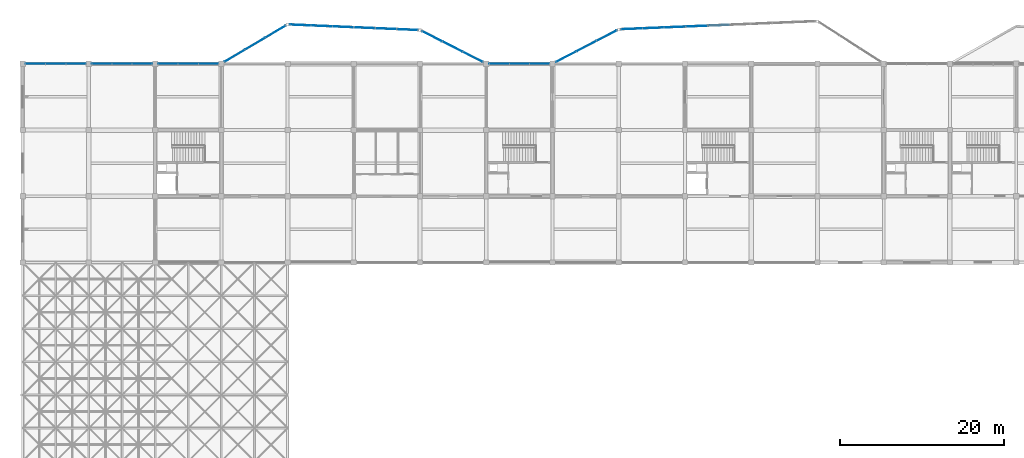
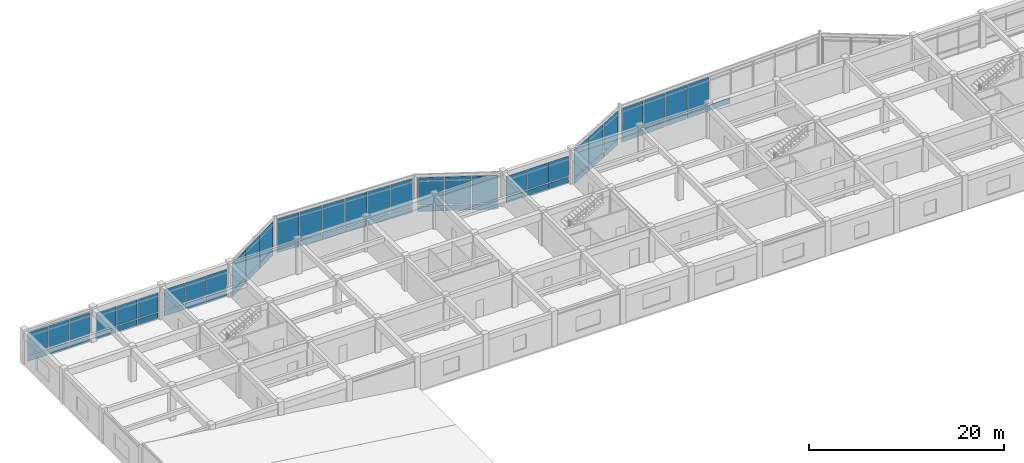
# One storey, part 43 of 70: 63 plates, 11 elements without a shape of their own.
"""IFC4 building model written with IfcOpenShell, lengths in metres."""

import ifcopenshell
import ifcopenshell.guid

model = None  # the IFC model being written
_history = None  # IfcOwnerHistory: only IFC2X3 demands one
_inside = {}  # id of a spatial element -> (the spatial element, [elements in it])
_under = {}  # id of a project, library or spatial element -> (it, [spatial elements below it])
_declared = {}  # id of a project -> (the project, [libraries it declares])
_typed = {}  # id of a type object -> (the type object, [elements of that type])
_made_of = {}  # id of a material, layer set ... -> (it, [elements and type objects made of it])


def new_model(schema):
    """Start an empty IFC model of exactly this schema.

    Asked for "IFC4X3", IfcOpenShell would pick the latest addendum, in which some entities
    have other attributes; the version numbers below select the first issue.
    IFC2X3 requires an IfcOwnerHistory on every rooted entity: one is made here for all.
    """
    global model, _history
    if schema == "IFC4X3":
        model = ifcopenshell.file(schema_version=(4, 3, 0, 0))
    else:
        model = ifcopenshell.file(schema=schema)
    _inside.clear()
    _under.clear()
    _declared.clear()
    _typed.clear()
    _made_of.clear()
    _history = None
    if model.schema == "IFC2X3":
        org = make("IfcOrganization", Name="unknown")
        user = make(
            "IfcPersonAndOrganization",
            ThePerson=make("IfcPerson", FamilyName="unknown"),
            TheOrganization=org,
        )
        app = make(
            "IfcApplication",
            ApplicationDeveloper=org,
            Version="unknown",
            ApplicationFullName="unknown",
            ApplicationIdentifier="unknown",
        )
        _history = make(
            "IfcOwnerHistory",
            OwningUser=user,
            OwningApplication=app,
            ChangeAction="ADDED",
            CreationDate=0,
        )
    return model


def make(cls, **values):
    """One entity of the class cls with the attributes given. An attribute that is None is left unset."""
    return model.create_entity(
        cls, **{name: value for name, value in values.items() if value is not None}
    )


def rooted(cls, **values):
    """An entity with a GlobalId (a new one), such as an element, a storey or a relation."""
    return make(cls, GlobalId=ifcopenshell.guid.new(), OwnerHistory=_history, **values)


def si_unit(unit_type, name, prefix=None):
    """IfcSIUnit, for example si_unit("LENGTHUNIT", "METRE", prefix="MILLI")."""
    return make("IfcSIUnit", UnitType=unit_type, Prefix=prefix, Name=name)


def assignment(units):
    """IfcUnitAssignment: the units of a project."""
    return None if units is None else make("IfcUnitAssignment", Units=units)


def point(xyz):
    """IfcCartesianPoint."""
    return None if xyz is None else make("IfcCartesianPoint", Coordinates=xyz)


def direction(xyz):
    """IfcDirection."""
    return None if xyz is None else make("IfcDirection", DirectionRatios=xyz)


def frame(location, z_axis=None, x_axis=None):
    """IfcAxis2Placement3D, a coordinate frame: its origin and axes. An axis left out is left unset."""
    return make(
        "IfcAxis2Placement3D",
        Location=point(location),
        Axis=direction(z_axis),
        RefDirection=direction(x_axis),
    )


def frame_2d(location, x_axis=None):
    """IfcAxis2Placement2D, a coordinate frame in the plane: its origin and x axis."""
    return make(
        "IfcAxis2Placement2D", Location=point(location), RefDirection=direction(x_axis)
    )


def origin():
    """The frame at (0, 0, 0) with its axes left unset."""
    return frame((0.0, 0.0, 0.0))


def origin_2d():
    """The frame at (0, 0) in the plane with its x axis left unset."""
    return frame_2d((0.0, 0.0))


def place(relative_to, where):
    """IfcLocalPlacement: puts the frame where relative to a parent placement (None: the world)."""
    return make(
        "IfcLocalPlacement", PlacementRelTo=relative_to, RelativePlacement=where
    )


def context(
    kind, dimensions, precision=None, world=None, true_north=None, identifier=None
):
    """IfcGeometricRepresentationContext, for example the 3D "Model" context."""
    return make(
        "IfcGeometricRepresentationContext",
        ContextIdentifier=identifier,
        ContextType=kind,
        CoordinateSpaceDimension=dimensions,
        Precision=precision,
        WorldCoordinateSystem=world,
        TrueNorth=true_north,
    )


def subcontext(parent, identifier, kind, view, scale=None):
    """IfcGeometricRepresentationSubContext, for example "Body" below "Model"."""
    return make(
        "IfcGeometricRepresentationSubContext",
        ContextIdentifier=identifier,
        ContextType=kind,
        ParentContext=parent,
        TargetScale=scale,
        TargetView=view,
    )


def project(units=None, contexts=None):
    """IfcProject with its units and contexts."""
    return rooted(
        "IfcProject",
        Name="project",
        RepresentationContexts=contexts,
        UnitsInContext=assignment(units),
    )


def spatial(cls, under=None, at=None, **own):
    """A site, building, storey or space (cls), placed at a placement, below another one or the project."""
    s = rooted(cls, ObjectPlacement=at, **own)
    if under is not None:
        _under.setdefault(under.id(), (under, []))[1].append(s)
    return s


def profile(cls, at=None, kind="AREA", **sizes):
    """A parametric profile (cls). Its sizes go by their IFC names, for example OverallWidth=200.0."""
    return make(cls, ProfileType=kind, Position=at, **sizes)


def rectangle(**sizes):
    """IfcRectangleProfileDef."""
    return profile("IfcRectangleProfileDef", **sizes)


def extrude(swept, where, along, depth):
    """IfcExtrudedAreaSolid: the profile swept, set in the frame where, extruded along a direction by depth."""
    return make(
        "IfcExtrudedAreaSolid",
        SweptArea=swept,
        Position=where,
        ExtrudedDirection=direction(along),
        Depth=depth,
    )


def shape(context_of_items, identifier, shape_type, items):
    """IfcShapeRepresentation: the items that make up one representation, for example the "Body"."""
    return make(
        "IfcShapeRepresentation",
        ContextOfItems=context_of_items,
        RepresentationIdentifier=identifier,
        RepresentationType=shape_type,
        Items=items,
    )


def material(Name=None, Category=None):
    """IfcMaterial."""
    return make("IfcMaterial", Name=Name, Category=Category)


def layer(
    of_material, thickness, ventilated=None, Name=None, Category=None, Priority=None
):
    """IfcMaterialLayer: one layer of a wall or slab, of a material (None: an air gap)."""
    return make(
        "IfcMaterialLayer",
        Material=of_material,
        LayerThickness=thickness,
        IsVentilated=ventilated,
        Name=Name,
        Category=Category,
        Priority=Priority,
    )


def layer_set(layers, Name=None):
    """IfcMaterialLayerSet."""
    return make("IfcMaterialLayerSet", MaterialLayers=layers, LayerSetName=Name)


def made_of(thing, what):
    """Note that an element or type object is made of a material, layer set ...; save() writes the relation."""
    if what is not None:
        _made_of.setdefault(what.id(), (what, []))[1].append(thing)
    return thing


def type_object(cls, material=None, **own):
    """A type object (cls), such as IfcWallType, which elements share."""
    return made_of(rooted(cls, **own), material)


def element(
    cls,
    number,
    at=None,
    inside=None,
    cuts=None,
    type_object=None,
    material=None,
    context=None,
    identifier="Body",
    shape_type=None,
    held_by="IfcProductDefinitionShape",
    body=None,
    shapes=None,
    **own,
):
    """One element of the class cls, such as IfcWall. Its Tag is "e" and its number.

    at: its placement. inside: the storey or other place that contains it. cuts: it is an
    opening in that element (IfcRelVoidsElement). A single representation is given by context,
    identifier, shape_type and body (its items); several are given by shapes. held_by: the class
    of the entity that holds the representations. save() writes the other relations.
    """
    e = rooted(cls, Tag="e%d" % number, ObjectPlacement=at, **own)
    if body is not None:
        shapes = [shape(context, identifier, shape_type, body)]
    if shapes is not None:
        e.Representation = make(held_by, Representations=shapes)
    if inside is not None:
        _inside.setdefault(inside.id(), (inside, []))[1].append(e)
    if cuts is not None:
        rooted(
            "IfcRelVoidsElement", RelatingBuildingElement=cuts, RelatedOpeningElement=e
        )
    if type_object is not None:
        _typed.setdefault(type_object.id(), (type_object, []))[1].append(e)
    return made_of(e, material)


def aggregate(whole, parts):
    """IfcRelAggregates: a whole, such as a stair, and the parts it consists of."""
    return rooted("IfcRelAggregates", RelatingObject=whole, RelatedObjects=parts)


def save(model, path):
    """Write the relations noted so far, then the file.

    IfcRelAggregates (storeys below a building ...), IfcRelContainedInSpatialStructure (elements
    in a storey), IfcRelDefinesByType, IfcRelAssociatesMaterial and IfcRelDeclares: one each for
    every whole, place, type object, material and project.
    """
    for whole, parts in _under.values():
        aggregate(whole, parts)
    for where, things in _inside.values():
        rooted(
            "IfcRelContainedInSpatialStructure",
            RelatedElements=things,
            RelatingStructure=where,
        )
    for kind, things in _typed.values():
        rooted("IfcRelDefinesByType", RelatedObjects=things, RelatingType=kind)
    for what, things in _made_of.values():
        rooted("IfcRelAssociatesMaterial", RelatedObjects=things, RelatingMaterial=what)
    for by, libraries in _declared.values():
        rooted("IfcRelDeclares", RelatingContext=by, RelatedDefinitions=libraries)
    model.write(path)


model = new_model("IFC4")

# Units and contexts
model_context = context("Model", 3, precision=1e-05, world=origin(), true_north=direction((0.0, 1.0)))
body_context = subcontext(model_context, "Body", "Model", "MODEL_VIEW")
ifc_project = project(units=[si_unit("LENGTHUNIT", "METRE"), si_unit("AREAUNIT", "SQUARE_METRE"), si_unit("VOLUMEUNIT", "CUBIC_METRE"), si_unit("PLANEANGLEUNIT", "RADIAN"), si_unit("MASSUNIT", "GRAM", prefix="KILO")], contexts=[model_context])

# Site, building, storey
site_placement = place(None, origin())
site = spatial("IfcSite", under=ifc_project, at=site_placement, CompositionType="ELEMENT")
building_placement = place(site_placement, origin())
building = spatial("IfcBuilding", under=site, at=building_placement, Name="Vaudrelin Polytechnic", CompositionType="ELEMENT")
storey_placement = place(building_placement, frame((0.0, 0.0, 14.110107421875)))
storey = spatial("IfcBuildingStorey", under=building, at=storey_placement, Name="L03", CompositionType="ELEMENT", Elevation=14.110107421875)

# Curtain wall, plates
ifc_material_1 = material(Name="Thermally broken anodised aluminium AA 6063-T6 and low-e triple glazing", Category="aluminium")
ifc_layer_1 = layer(ifc_material_1, 0.199951171875)
ifc_layer_set_1 = layer_set([ifc_layer_1], Name="Thermally broken anodised aluminium AA 6063-T6 and low-e triple glazing")
curtain_wall_type = type_object("IfcCurtainWallType", Name="CW-CW-STU", PredefinedType="USERDEFINED", material=ifc_layer_set_1)
curtain_wall_1_placement = place(storey_placement, origin())
curtain_wall_1 = element("IfcCurtainWall", 1, at=curtain_wall_1_placement, inside=storey, type_object=curtain_wall_type, Name="Curtain wall L03 N_V5_00", ObjectType="CURTAIN WALL", PredefinedType="USERDEFINED")
ifc_material_2 = material(Name="Diffusing north-light studio glazing panel", Category="glass")
ifc_layer_2 = layer(ifc_material_2, 0.048095703125)
ifc_layer_set_2 = layer_set([ifc_layer_2], Name="Diffusing north-light studio glazing panel")
plate_type_1 = type_object("IfcPlateType", Name="PLT-GLZ-SAW", PredefinedType="CURTAIN_PANEL", material=ifc_layer_set_2)
plate_1_placement = place(storey_placement, frame((1.565185546875, 121.5, 0.89990234375), z_axis=(0.0, 0.0, 1.0), x_axis=(1.0, 0.0, 0.0)))
plate_1 = element("IfcPlate", 2, at=plate_1_placement, type_object=plate_type_1, Name="N_V5_00 vision panel 1", PredefinedType="CURTAIN_PANEL", context=body_context, shape_type="SweptSolid", body=[
    extrude(rectangle(XDim=2.384765625, YDim=0.0439453125, at=origin_2d()), origin(), (0.0, 0.0, 1.0), 2.7470703125),
])
plate_2_placement = place(storey_placement, frame((4.050048828125, 121.5, 0.89990234375), z_axis=(0.0, 0.0, 1.0), x_axis=(1.0, 0.0, 0.0)))
plate_2 = element("IfcPlate", 3, at=plate_2_placement, type_object=plate_type_1, Name="N_V5_00 vision panel 2", PredefinedType="CURTAIN_PANEL", context=body_context, shape_type="SweptSolid", body=[
    extrude(rectangle(XDim=2.384765625, YDim=0.0439453125, at=origin_2d()), origin(), (0.0, 0.0, 1.0), 2.7470703125),
])
plate_3_placement = place(storey_placement, frame((6.53466796875, 121.5, 0.89990234375), z_axis=(0.0, 0.0, 1.0), x_axis=(1.0, 0.0, 0.0)))
plate_3 = element("IfcPlate", 4, at=plate_3_placement, type_object=plate_type_1, Name="N_V5_00 vision panel 3", PredefinedType="CURTAIN_PANEL", context=body_context, shape_type="SweptSolid", body=[
    extrude(rectangle(XDim=2.384765625, YDim=0.0439453125, at=origin_2d()), origin(), (0.0, 0.0, 1.0), 2.7470703125),
])

curtain_wall_2_placement = place(storey_placement, origin())
curtain_wall_2 = element("IfcCurtainWall", 5, at=curtain_wall_2_placement, inside=storey, type_object=curtain_wall_type, Name="Curtain wall L03 N_V5_01", ObjectType="CURTAIN WALL", PredefinedType="USERDEFINED")
plate_4_placement = place(storey_placement, frame((9.665283203125, 121.5, 0.89990234375), z_axis=(0.0, 0.0, 1.0), x_axis=(1.0, 0.0, 0.0)))
plate_4 = element("IfcPlate", 6, at=plate_4_placement, type_object=plate_type_1, Name="N_V5_01 vision panel 1", PredefinedType="CURTAIN_PANEL", context=body_context, shape_type="SweptSolid", body=[
    extrude(rectangle(XDim=2.384765625, YDim=0.0439453125, at=origin_2d()), origin(), (0.0, 0.0, 1.0), 2.412109375),
])
plate_5_placement = place(storey_placement, frame((12.14990234375, 121.5, 0.89990234375), z_axis=(0.0, 0.0, 1.0), x_axis=(1.0, 0.0, 0.0)))
plate_5 = element("IfcPlate", 7, at=plate_5_placement, type_object=plate_type_1, Name="N_V5_01 vision panel 2", PredefinedType="CURTAIN_PANEL", context=body_context, shape_type="SweptSolid", body=[
    extrude(rectangle(XDim=2.384765625, YDim=0.0439453125, at=origin_2d()), origin(), (0.0, 0.0, 1.0), 2.412109375),
])
plate_6_placement = place(storey_placement, frame((14.634765625, 121.5, 0.89990234375), z_axis=(0.0, 0.0, 1.0), x_axis=(1.0, 0.0, 0.0)))
plate_6 = element("IfcPlate", 8, at=plate_6_placement, type_object=plate_type_1, Name="N_V5_01 vision panel 3", PredefinedType="CURTAIN_PANEL", context=body_context, shape_type="SweptSolid", body=[
    extrude(rectangle(XDim=2.384765625, YDim=0.0439453125, at=origin_2d()), origin(), (0.0, 0.0, 1.0), 2.412109375),
])

curtain_wall_3_placement = place(storey_placement, origin())
curtain_wall_3 = element("IfcCurtainWall", 9, at=curtain_wall_3_placement, inside=storey, type_object=curtain_wall_type, Name="Curtain wall L03 N_V5_02", ObjectType="CURTAIN WALL", PredefinedType="USERDEFINED")
plate_7_placement = place(storey_placement, frame((17.765380859375, 121.5, 0.89990234375), z_axis=(0.0, 0.0, 1.0), x_axis=(1.0, 0.0, 0.0)))
plate_7 = element("IfcPlate", 10, at=plate_7_placement, type_object=plate_type_1, Name="N_V5_02 vision panel 1", PredefinedType="CURTAIN_PANEL", context=body_context, shape_type="SweptSolid", body=[
    extrude(rectangle(XDim=2.384765625, YDim=0.0439453125, at=origin_2d()), origin(), (0.0, 0.0, 1.0), 2.511962890625),
])
plate_8_placement = place(storey_placement, frame((20.25, 121.5, 0.89990234375), z_axis=(0.0, 0.0, 1.0), x_axis=(1.0, 0.0, 0.0)))
plate_8 = element("IfcPlate", 11, at=plate_8_placement, type_object=plate_type_1, Name="N_V5_02 vision panel 2", PredefinedType="CURTAIN_PANEL", context=body_context, shape_type="SweptSolid", body=[
    extrude(rectangle(XDim=2.384765625, YDim=0.0439453125, at=origin_2d()), origin(), (0.0, 0.0, 1.0), 2.511962890625),
])
plate_9_placement = place(storey_placement, frame((22.734619140625, 121.5, 0.89990234375), z_axis=(0.0, 0.0, 1.0), x_axis=(1.0, 0.0, 0.0)))
plate_9 = element("IfcPlate", 12, at=plate_9_placement, type_object=plate_type_1, Name="N_V5_02 vision panel 3", PredefinedType="CURTAIN_PANEL", context=body_context, shape_type="SweptSolid", body=[
    extrude(rectangle(XDim=2.384765625, YDim=0.0439453125, at=origin_2d()), origin(), (0.0, 0.0, 1.0), 2.511962890625),
])

curtain_wall_4_placement = place(storey_placement, origin())
curtain_wall_4 = element("IfcCurtainWall", 13, at=curtain_wall_4_placement, inside=storey, type_object=curtain_wall_type, Name="Curtain wall L03 N_V5_07", ObjectType="CURTAIN WALL", PredefinedType="USERDEFINED")
plate_10_placement = place(storey_placement, frame((58.265380859375, 121.5, 0.89990234375), z_axis=(0.0, 0.0, 1.0), x_axis=(1.0, 0.0, 0.0)))
plate_10 = element("IfcPlate", 14, at=plate_10_placement, type_object=plate_type_1, Name="N_V5_07 vision panel 1", PredefinedType="CURTAIN_PANEL", context=body_context, shape_type="SweptSolid", body=[
    extrude(rectangle(XDim=2.384765625, YDim=0.0439453125, at=origin_2d()), origin(), (0.0, 0.0, 1.0), 2.511962890625),
])
plate_11_placement = place(storey_placement, frame((60.75, 121.5, 0.89990234375), z_axis=(0.0, 0.0, 1.0), x_axis=(1.0, 0.0, 0.0)))
plate_11 = element("IfcPlate", 15, at=plate_11_placement, type_object=plate_type_1, Name="N_V5_07 vision panel 2", PredefinedType="CURTAIN_PANEL", context=body_context, shape_type="SweptSolid", body=[
    extrude(rectangle(XDim=2.384765625, YDim=0.0439453125, at=origin_2d()), origin(), (0.0, 0.0, 1.0), 2.511962890625),
])
plate_12_placement = place(storey_placement, frame((63.234619140625, 121.5, 0.89990234375), z_axis=(0.0, 0.0, 1.0), x_axis=(1.0, 0.0, 0.0)))
plate_12 = element("IfcPlate", 16, at=plate_12_placement, type_object=plate_type_1, Name="N_V5_07 vision panel 3", PredefinedType="CURTAIN_PANEL", context=body_context, shape_type="SweptSolid", body=[
    extrude(rectangle(XDim=2.384765625, YDim=0.0439453125, at=origin_2d()), origin(), (0.0, 0.0, 1.0), 2.511962890625),
])

# Plate
ifc_material_3 = material(Name="Insulated ceramic-frit spandrel glass panel", Category="glass")
ifc_layer_3 = layer(ifc_material_3, 0.052001953125)
ifc_layer_set_3 = layer_set([ifc_layer_3], Name="Insulated ceramic-frit spandrel glass panel")
plate_type_2 = type_object("IfcPlateType", Name="PLT-GLZ-SPAND", PredefinedType="CURTAIN_PANEL", material=ifc_layer_set_3)
plate_13_placement = place(storey_placement, frame((1.565185546875, 121.5, 0.08984375), z_axis=(0.0, 0.0, 1.0), x_axis=(1.0, 0.0, 0.0)))
plate_13 = element("IfcPlate", 17, at=plate_13_placement, type_object=plate_type_2, Name="N_V5_00 spandrel panel 1", PredefinedType="CURTAIN_PANEL", context=body_context, shape_type="SweptSolid", body=[
    extrude(rectangle(XDim=2.384765625, YDim=0.052001953125, at=origin_2d()), origin(), (0.0, 0.0, 1.0), 0.699951171875),
])

plate_14_placement = place(storey_placement, frame((4.050048828125, 121.5, 0.08984375), z_axis=(0.0, 0.0, 1.0), x_axis=(1.0, 0.0, 0.0)))
plate_14 = element("IfcPlate", 18, at=plate_14_placement, type_object=plate_type_2, Name="N_V5_00 spandrel panel 2", PredefinedType="CURTAIN_PANEL", context=body_context, shape_type="SweptSolid", body=[
    extrude(rectangle(XDim=2.384765625, YDim=0.052001953125, at=origin_2d()), origin(), (0.0, 0.0, 1.0), 0.699951171875),
])

plate_15_placement = place(storey_placement, frame((6.53466796875, 121.5, 0.08984375), z_axis=(0.0, 0.0, 1.0), x_axis=(1.0, 0.0, 0.0)))
plate_15 = element("IfcPlate", 19, at=plate_15_placement, type_object=plate_type_2, Name="N_V5_00 spandrel panel 3", PredefinedType="CURTAIN_PANEL", context=body_context, shape_type="SweptSolid", body=[
    extrude(rectangle(XDim=2.384765625, YDim=0.052001953125, at=origin_2d()), origin(), (0.0, 0.0, 1.0), 0.699951171875),
])

aggregate(curtain_wall_1, [plate_13, plate_1, plate_14, plate_2, plate_15, plate_3])

plate_16_placement = place(storey_placement, frame((9.665283203125, 121.5, 0.08984375), z_axis=(0.0, 0.0, 1.0), x_axis=(1.0, 0.0, 0.0)))
plate_16 = element("IfcPlate", 20, at=plate_16_placement, type_object=plate_type_2, Name="N_V5_01 spandrel panel 1", PredefinedType="CURTAIN_PANEL", context=body_context, shape_type="SweptSolid", body=[
    extrude(rectangle(XDim=2.384765625, YDim=0.052001953125, at=origin_2d()), origin(), (0.0, 0.0, 1.0), 0.699951171875),
])

plate_17_placement = place(storey_placement, frame((12.14990234375, 121.5, 0.08984375), z_axis=(0.0, 0.0, 1.0), x_axis=(1.0, 0.0, 0.0)))
plate_17 = element("IfcPlate", 21, at=plate_17_placement, type_object=plate_type_2, Name="N_V5_01 spandrel panel 2", PredefinedType="CURTAIN_PANEL", context=body_context, shape_type="SweptSolid", body=[
    extrude(rectangle(XDim=2.384765625, YDim=0.052001953125, at=origin_2d()), origin(), (0.0, 0.0, 1.0), 0.699951171875),
])

plate_18_placement = place(storey_placement, frame((14.634765625, 121.5, 0.08984375), z_axis=(0.0, 0.0, 1.0), x_axis=(1.0, 0.0, 0.0)))
plate_18 = element("IfcPlate", 22, at=plate_18_placement, type_object=plate_type_2, Name="N_V5_01 spandrel panel 3", PredefinedType="CURTAIN_PANEL", context=body_context, shape_type="SweptSolid", body=[
    extrude(rectangle(XDim=2.384765625, YDim=0.052001953125, at=origin_2d()), origin(), (0.0, 0.0, 1.0), 0.699951171875),
])

aggregate(curtain_wall_2, [plate_16, plate_4, plate_17, plate_5, plate_18, plate_6])

plate_19_placement = place(storey_placement, frame((17.765380859375, 121.5, 0.08984375), z_axis=(0.0, 0.0, 1.0), x_axis=(1.0, 0.0, 0.0)))
plate_19 = element("IfcPlate", 23, at=plate_19_placement, type_object=plate_type_2, Name="N_V5_02 spandrel panel 1", PredefinedType="CURTAIN_PANEL", context=body_context, shape_type="SweptSolid", body=[
    extrude(rectangle(XDim=2.384765625, YDim=0.052001953125, at=origin_2d()), origin(), (0.0, 0.0, 1.0), 0.699951171875),
])

plate_20_placement = place(storey_placement, frame((20.25, 121.5, 0.08984375), z_axis=(0.0, 0.0, 1.0), x_axis=(1.0, 0.0, 0.0)))
plate_20 = element("IfcPlate", 24, at=plate_20_placement, type_object=plate_type_2, Name="N_V5_02 spandrel panel 2", PredefinedType="CURTAIN_PANEL", context=body_context, shape_type="SweptSolid", body=[
    extrude(rectangle(XDim=2.384765625, YDim=0.052001953125, at=origin_2d()), origin(), (0.0, 0.0, 1.0), 0.699951171875),
])

plate_21_placement = place(storey_placement, frame((22.734619140625, 121.5, 0.08984375), z_axis=(0.0, 0.0, 1.0), x_axis=(1.0, 0.0, 0.0)))
plate_21 = element("IfcPlate", 25, at=plate_21_placement, type_object=plate_type_2, Name="N_V5_02 spandrel panel 3", PredefinedType="CURTAIN_PANEL", context=body_context, shape_type="SweptSolid", body=[
    extrude(rectangle(XDim=2.384765625, YDim=0.052001953125, at=origin_2d()), origin(), (0.0, 0.0, 1.0), 0.699951171875),
])

aggregate(curtain_wall_3, [plate_19, plate_7, plate_20, plate_8, plate_21, plate_9])

plate_22_placement = place(storey_placement, frame((58.265380859375, 121.5, 0.08984375), z_axis=(0.0, 0.0, 1.0), x_axis=(1.0, 0.0, 0.0)))
plate_22 = element("IfcPlate", 26, at=plate_22_placement, type_object=plate_type_2, Name="N_V5_07 spandrel panel 1", PredefinedType="CURTAIN_PANEL", context=body_context, shape_type="SweptSolid", body=[
    extrude(rectangle(XDim=2.384765625, YDim=0.052001953125, at=origin_2d()), origin(), (0.0, 0.0, 1.0), 0.699951171875),
])

plate_23_placement = place(storey_placement, frame((60.75, 121.5, 0.08984375), z_axis=(0.0, 0.0, 1.0), x_axis=(1.0, 0.0, 0.0)))
plate_23 = element("IfcPlate", 27, at=plate_23_placement, type_object=plate_type_2, Name="N_V5_07 spandrel panel 2", PredefinedType="CURTAIN_PANEL", context=body_context, shape_type="SweptSolid", body=[
    extrude(rectangle(XDim=2.384765625, YDim=0.052001953125, at=origin_2d()), origin(), (0.0, 0.0, 1.0), 0.699951171875),
])

plate_24_placement = place(storey_placement, frame((63.234619140625, 121.5, 0.08984375), z_axis=(0.0, 0.0, 1.0), x_axis=(1.0, 0.0, 0.0)))
plate_24 = element("IfcPlate", 28, at=plate_24_placement, type_object=plate_type_2, Name="N_V5_07 spandrel panel 3", PredefinedType="CURTAIN_PANEL", context=body_context, shape_type="SweptSolid", body=[
    extrude(rectangle(XDim=2.384765625, YDim=0.052001953125, at=origin_2d()), origin(), (0.0, 0.0, 1.0), 0.699951171875),
])

aggregate(curtain_wall_4, [plate_22, plate_10, plate_23, plate_11, plate_24, plate_12])

# Curtain wall, plates
curtain_wall_5_placement = place(storey_placement, origin())
curtain_wall_5 = element("IfcCurtainWall", 29, at=curtain_wall_5_placement, inside=storey, type_object=curtain_wall_type, Name="Curtain wall L03 N_OR1_1_0", ObjectType="CURTAIN WALL", PredefinedType="USERDEFINED")
plate_25_placement = place(storey_placement, frame((25.944091796875, 122.474365234375, -0.5400390625), z_axis=(0.0, 0.0, 1.0), x_axis=(0.860291533635, 0.509802390301, 0.0)))
plate_25 = element("IfcPlate", 30, at=plate_25_placement, type_object=plate_type_2, Name="N_OR1_1_0 spandrel panel 1", PredefinedType="CURTAIN_PANEL", context=body_context, shape_type="SweptSolid", body=[
    extrude(rectangle(XDim=2.796875, YDim=0.052001953125, at=origin_2d()), origin(), (0.0, 0.0, 1.0), 0.699951171875),
])
plate_26_placement = place(storey_placement, frame((28.436279296875, 123.951171875, -0.5400390625), z_axis=(0.0, 0.0, 1.0), x_axis=(0.860291533635, 0.509802390301, 0.0)))
plate_26 = element("IfcPlate", 31, at=plate_26_placement, type_object=plate_type_2, Name="N_OR1_1_0 spandrel panel 2", PredefinedType="CURTAIN_PANEL", context=body_context, shape_type="SweptSolid", body=[
    extrude(rectangle(XDim=2.796875, YDim=0.052001953125, at=origin_2d()), origin(), (0.0, 0.0, 1.0), 0.699951171875),
])
plate_27_placement = place(storey_placement, frame((30.92822265625, 125.427978515625, -0.5400390625), z_axis=(0.0, 0.0, 1.0), x_axis=(0.860291533635, 0.509802390301, 0.0)))
plate_27 = element("IfcPlate", 32, at=plate_27_placement, type_object=plate_type_2, Name="N_OR1_1_0 spandrel panel 3", PredefinedType="CURTAIN_PANEL", context=body_context, shape_type="SweptSolid", body=[
    extrude(rectangle(XDim=2.796875, YDim=0.052001953125, at=origin_2d()), origin(), (0.0, 0.0, 1.0), 0.699951171875),
])

curtain_wall_6_placement = place(storey_placement, origin())
curtain_wall_6 = element("IfcCurtainWall", 33, at=curtain_wall_6_placement, inside=storey, type_object=curtain_wall_type, Name="Curtain wall L03 N_OR1_2_0", ObjectType="CURTAIN WALL", PredefinedType="USERDEFINED")
plate_28_placement = place(storey_placement, frame((33.94775390625, 126.233154296875, -0.5400390625), z_axis=(0.0, 0.0, 1.0), x_axis=(0.99906798854, -0.043164270821, 0.0)))
plate_28 = element("IfcPlate", 34, at=plate_28_placement, type_object=plate_type_2, Name="N_OR1_2_0 spandrel panel 1", PredefinedType="CURTAIN_PANEL", context=body_context, shape_type="SweptSolid", body=[
    extrude(rectangle(XDim=2.523193359375, YDim=0.052001953125, at=origin_2d()), origin(), (0.0, 0.0, 1.0), 0.699951171875),
])
plate_29_placement = place(storey_placement, frame((36.568603515625, 126.119873046875, -0.5400390625), z_axis=(0.0, 0.0, 1.0), x_axis=(0.99906798854, -0.043164270821, 0.0)))
plate_29 = element("IfcPlate", 35, at=plate_29_placement, type_object=plate_type_2, Name="N_OR1_2_0 spandrel panel 2", PredefinedType="CURTAIN_PANEL", context=body_context, shape_type="SweptSolid", body=[
    extrude(rectangle(XDim=2.523193359375, YDim=0.052001953125, at=origin_2d()), origin(), (0.0, 0.0, 1.0), 0.699951171875),
])
plate_30_placement = place(storey_placement, frame((39.189697265625, 126.006591796875, -0.5400390625), z_axis=(0.0, 0.0, 1.0), x_axis=(0.99906798854, -0.043164270821, 0.0)))
plate_30 = element("IfcPlate", 36, at=plate_30_placement, type_object=plate_type_2, Name="N_OR1_2_0 spandrel panel 3", PredefinedType="CURTAIN_PANEL", context=body_context, shape_type="SweptSolid", body=[
    extrude(rectangle(XDim=2.523193359375, YDim=0.052001953125, at=origin_2d()), origin(), (0.0, 0.0, 1.0), 0.699951171875),
])

curtain_wall_7_placement = place(storey_placement, origin())
curtain_wall_7 = element("IfcCurtainWall", 37, at=curtain_wall_7_placement, inside=storey, type_object=curtain_wall_type, Name="Curtain wall L03 N_OR1_2_1", ObjectType="CURTAIN WALL", PredefinedType="USERDEFINED")
plate_31_placement = place(storey_placement, frame((41.810302734375, 125.893310546875, -0.5400390625), z_axis=(0.0, 0.0, 1.0), x_axis=(0.99906798854, -0.043164270821, 0.0)))
plate_31 = element("IfcPlate", 38, at=plate_31_placement, type_object=plate_type_2, Name="N_OR1_2_1 spandrel panel 1", PredefinedType="CURTAIN_PANEL", context=body_context, shape_type="SweptSolid", body=[
    extrude(rectangle(XDim=2.523193359375, YDim=0.052001953125, at=origin_2d()), origin(), (0.0, 0.0, 1.0), 0.699951171875),
])
plate_32_placement = place(storey_placement, frame((44.431396484375, 125.780029296875, -0.5400390625), z_axis=(0.0, 0.0, 1.0), x_axis=(0.99906798854, -0.043164270821, 0.0)))
plate_32 = element("IfcPlate", 39, at=plate_32_placement, type_object=plate_type_2, Name="N_OR1_2_1 spandrel panel 2", PredefinedType="CURTAIN_PANEL", context=body_context, shape_type="SweptSolid", body=[
    extrude(rectangle(XDim=2.523193359375, YDim=0.052001953125, at=origin_2d()), origin(), (0.0, 0.0, 1.0), 0.699951171875),
])
plate_33_placement = place(storey_placement, frame((47.05224609375, 125.6669921875, -0.5400390625), z_axis=(0.0, 0.0, 1.0), x_axis=(0.99906798854, -0.043164270821, 0.0)))
plate_33 = element("IfcPlate", 40, at=plate_33_placement, type_object=plate_type_2, Name="N_OR1_2_1 spandrel panel 3", PredefinedType="CURTAIN_PANEL", context=body_context, shape_type="SweptSolid", body=[
    extrude(rectangle(XDim=2.523193359375, YDim=0.052001953125, at=origin_2d()), origin(), (0.0, 0.0, 1.0), 0.699951171875),
])

curtain_wall_8_placement = place(storey_placement, origin())
curtain_wall_8 = element("IfcCurtainWall", 41, at=curtain_wall_8_placement, inside=storey, type_object=curtain_wall_type, Name="Curtain wall L03 N_OR1_3_0", ObjectType="CURTAIN WALL", PredefinedType="USERDEFINED")
plate_34_placement = place(storey_placement, frame((50.073486328125, 124.85400390625, -0.5400390625), z_axis=(0.0, 0.0, 1.0), x_axis=(0.892216550993, -0.451607823375, 0.0)))
plate_34 = element("IfcPlate", 42, at=plate_34_placement, type_object=plate_type_2, Name="N_OR1_3_0 spandrel panel 1", PredefinedType="CURTAIN_PANEL", context=body_context, shape_type="SweptSolid", body=[
    extrude(rectangle(XDim=2.691162109375, YDim=0.052001953125, at=origin_2d()), origin(), (0.0, 0.0, 1.0), 0.699951171875),
])
plate_35_placement = place(storey_placement, frame((52.563720703125, 123.593505859375, -0.5400390625), z_axis=(0.0, 0.0, 1.0), x_axis=(0.892216550993, -0.451607823375, 0.0)))
plate_35 = element("IfcPlate", 43, at=plate_35_placement, type_object=plate_type_2, Name="N_OR1_3_0 spandrel panel 2", PredefinedType="CURTAIN_PANEL", context=body_context, shape_type="SweptSolid", body=[
    extrude(rectangle(XDim=2.691162109375, YDim=0.052001953125, at=origin_2d()), origin(), (0.0, 0.0, 1.0), 0.699951171875),
])
plate_36_placement = place(storey_placement, frame((55.053955078125, 122.333251953125, -0.5400390625), z_axis=(0.0, 0.0, 1.0), x_axis=(0.892216550993, -0.451607823375, 0.0)))
plate_36 = element("IfcPlate", 44, at=plate_36_placement, type_object=plate_type_2, Name="N_OR1_3_0 spandrel panel 3", PredefinedType="CURTAIN_PANEL", context=body_context, shape_type="SweptSolid", body=[
    extrude(rectangle(XDim=2.691162109375, YDim=0.052001953125, at=origin_2d()), origin(), (0.0, 0.0, 1.0), 0.699951171875),
])

curtain_wall_9_placement = place(storey_placement, origin())
curtain_wall_9 = element("IfcCurtainWall", 45, at=curtain_wall_9_placement, inside=storey, type_object=curtain_wall_type, Name="Curtain wall L03 N_OR2_1_0", ObjectType="CURTAIN WALL", PredefinedType="USERDEFINED")
plate_37_placement = place(storey_placement, frame((66.44580078125, 122.353271484375, -0.5400390625), z_axis=(0.0, 0.0, 1.0), x_axis=(0.88775021542, 0.460325488129, 0.0)))
plate_37 = element("IfcPlate", 46, at=plate_37_placement, type_object=plate_type_2, Name="N_OR2_1_0 spandrel panel 1", PredefinedType="CURTAIN_PANEL", context=body_context, shape_type="SweptSolid", body=[
    extrude(rectangle(XDim=2.705322265625, YDim=0.052001953125, at=origin_2d()), origin(), (0.0, 0.0, 1.0), 0.699951171875),
])
plate_38_placement = place(storey_placement, frame((68.936279296875, 123.644775390625, -0.5400390625), z_axis=(0.0, 0.0, 1.0), x_axis=(0.88775021542, 0.460325488129, 0.0)))
plate_38 = element("IfcPlate", 47, at=plate_38_placement, type_object=plate_type_2, Name="N_OR2_1_0 spandrel panel 2", PredefinedType="CURTAIN_PANEL", context=body_context, shape_type="SweptSolid", body=[
    extrude(rectangle(XDim=2.705322265625, YDim=0.052001953125, at=origin_2d()), origin(), (0.0, 0.0, 1.0), 0.699951171875),
])
plate_39_placement = place(storey_placement, frame((71.4267578125, 124.93603515625, -0.5400390625), z_axis=(0.0, 0.0, 1.0), x_axis=(0.88775021542, 0.460325488129, 0.0)))
plate_39 = element("IfcPlate", 48, at=plate_39_placement, type_object=plate_type_2, Name="N_OR2_1_0 spandrel panel 3", PredefinedType="CURTAIN_PANEL", context=body_context, shape_type="SweptSolid", body=[
    extrude(rectangle(XDim=2.705322265625, YDim=0.052001953125, at=origin_2d()), origin(), (0.0, 0.0, 1.0), 0.699951171875),
])

curtain_wall_10_placement = place(storey_placement, origin())
curtain_wall_10 = element("IfcCurtainWall", 49, at=curtain_wall_10_placement, inside=storey, type_object=curtain_wall_type, Name="Curtain wall L03 N_OR2_2_0", ObjectType="CURTAIN WALL", PredefinedType="USERDEFINED")
plate_40_placement = place(storey_placement, frame((74.4609375, 125.764404296875, -0.5400390625), z_axis=(0.0, 0.0, 1.0), x_axis=(0.999154417424, 0.041115084128, 0.0)))
plate_40 = element("IfcPlate", 50, at=plate_40_placement, type_object=plate_type_2, Name="N_OR2_2_0 spandrel panel 1", PredefinedType="CURTAIN_PANEL", context=body_context, shape_type="SweptSolid", body=[
    extrude(rectangle(XDim=2.549560546875, YDim=0.052001953125, at=origin_2d()), origin(), (0.0, 0.0, 1.0), 0.699951171875),
])
plate_41_placement = place(storey_placement, frame((77.108154296875, 125.873291015625, -0.5400390625), z_axis=(0.0, 0.0, 1.0), x_axis=(0.999154417424, 0.041115084128, 0.0)))
plate_41 = element("IfcPlate", 51, at=plate_41_placement, type_object=plate_type_2, Name="N_OR2_2_0 spandrel panel 2", PredefinedType="CURTAIN_PANEL", context=body_context, shape_type="SweptSolid", body=[
    extrude(rectangle(XDim=2.549560546875, YDim=0.052001953125, at=origin_2d()), origin(), (0.0, 0.0, 1.0), 0.699951171875),
])
plate_42_placement = place(storey_placement, frame((79.755615234375, 125.982177734375, -0.5400390625), z_axis=(0.0, 0.0, 1.0), x_axis=(0.999154417424, 0.041115084128, 0.0)))
plate_42 = element("IfcPlate", 52, at=plate_42_placement, type_object=plate_type_2, Name="N_OR2_2_0 spandrel panel 3", PredefinedType="CURTAIN_PANEL", context=body_context, shape_type="SweptSolid", body=[
    extrude(rectangle(XDim=2.549560546875, YDim=0.052001953125, at=origin_2d()), origin(), (0.0, 0.0, 1.0), 0.699951171875),
])

curtain_wall_11_placement = place(storey_placement, origin())
curtain_wall_11 = element("IfcCurtainWall", 53, at=curtain_wall_11_placement, inside=storey, type_object=curtain_wall_type, Name="Curtain wall L03 N_OR2_2_1", ObjectType="CURTAIN WALL", PredefinedType="USERDEFINED")
plate_43_placement = place(storey_placement, frame((82.402587890625, 126.091064453125, -0.5400390625), z_axis=(0.0, 0.0, 1.0), x_axis=(0.999154438691, 0.041114567302, 0.0)))
plate_43 = element("IfcPlate", 54, at=plate_43_placement, type_object=plate_type_2, Name="N_OR2_2_1 spandrel panel 1", PredefinedType="CURTAIN_PANEL", context=body_context, shape_type="SweptSolid", body=[
    extrude(rectangle(XDim=2.549560546875, YDim=0.052001953125, at=origin_2d()), origin(), (0.0, 0.0, 1.0), 0.699951171875),
])
plate_44_placement = place(storey_placement, frame((85.050048828125, 126.199951171875, -0.5400390625), z_axis=(0.0, 0.0, 1.0), x_axis=(0.999154438691, 0.041114567302, 0.0)))
plate_44 = element("IfcPlate", 55, at=plate_44_placement, type_object=plate_type_2, Name="N_OR2_2_1 spandrel panel 2", PredefinedType="CURTAIN_PANEL", context=body_context, shape_type="SweptSolid", body=[
    extrude(rectangle(XDim=2.549560546875, YDim=0.052001953125, at=origin_2d()), origin(), (0.0, 0.0, 1.0), 0.699951171875),
])

# Plate
ifc_material_4 = material(Name="Triple low-e argon insulated glazing unit", Category="glass")
ifc_layer_4 = layer(ifc_material_4, 0.0439453125)
ifc_layer_set_4 = layer_set([ifc_layer_4], Name="Triple low-e argon insulated glazing unit")
plate_type_3 = type_object("IfcPlateType", Name="PLT-GLZ-TRIPLE", PredefinedType="CURTAIN_PANEL", material=ifc_layer_set_4)
plate_45_placement = place(storey_placement, frame((25.944091796875, 122.474365234375, 0.27001953125), z_axis=(0.0, 0.0, 1.0), x_axis=(0.860291533635, 0.509802390301, 0.0)))
plate_45 = element("IfcPlate", 56, at=plate_45_placement, type_object=plate_type_3, Name="N_OR1_1_0 vision panel 1", PredefinedType="CURTAIN_PANEL", context=body_context, shape_type="SweptSolid", body=[
    extrude(rectangle(XDim=2.796875, YDim=0.0439453125, at=origin_2d()), origin(), (0.0, 0.0, 1.0), 3.43994140625),
])

plate_46_placement = place(storey_placement, frame((28.436279296875, 123.951171875, 0.27001953125), z_axis=(0.0, 0.0, 1.0), x_axis=(0.860291533635, 0.509802390301, 0.0)))
plate_46 = element("IfcPlate", 57, at=plate_46_placement, type_object=plate_type_3, Name="N_OR1_1_0 vision panel 2", PredefinedType="CURTAIN_PANEL", context=body_context, shape_type="SweptSolid", body=[
    extrude(rectangle(XDim=2.796875, YDim=0.0439453125, at=origin_2d()), origin(), (0.0, 0.0, 1.0), 3.43994140625),
])

plate_47_placement = place(storey_placement, frame((30.92822265625, 125.427978515625, 0.27001953125), z_axis=(0.0, 0.0, 1.0), x_axis=(0.860291533635, 0.509802390301, 0.0)))
plate_47 = element("IfcPlate", 58, at=plate_47_placement, type_object=plate_type_3, Name="N_OR1_1_0 vision panel 3", PredefinedType="CURTAIN_PANEL", context=body_context, shape_type="SweptSolid", body=[
    extrude(rectangle(XDim=2.796875, YDim=0.0439453125, at=origin_2d()), origin(), (0.0, 0.0, 1.0), 3.43994140625),
])

aggregate(curtain_wall_5, [plate_25, plate_45, plate_26, plate_46, plate_27, plate_47])

plate_48_placement = place(storey_placement, frame((33.94775390625, 126.233154296875, 0.27001953125), z_axis=(0.0, 0.0, 1.0), x_axis=(0.99906798854, -0.043164270821, 0.0)))
plate_48 = element("IfcPlate", 59, at=plate_48_placement, type_object=plate_type_3, Name="N_OR1_2_0 vision panel 1", PredefinedType="CURTAIN_PANEL", context=body_context, shape_type="SweptSolid", body=[
    extrude(rectangle(XDim=2.523193359375, YDim=0.0439453125, at=origin_2d()), origin(), (0.0, 0.0, 1.0), 3.43994140625),
])

plate_49_placement = place(storey_placement, frame((36.568603515625, 126.119873046875, 0.27001953125), z_axis=(0.0, 0.0, 1.0), x_axis=(0.99906798854, -0.043164270821, 0.0)))
plate_49 = element("IfcPlate", 60, at=plate_49_placement, type_object=plate_type_3, Name="N_OR1_2_0 vision panel 2", PredefinedType="CURTAIN_PANEL", context=body_context, shape_type="SweptSolid", body=[
    extrude(rectangle(XDim=2.523193359375, YDim=0.0439453125, at=origin_2d()), origin(), (0.0, 0.0, 1.0), 3.43994140625),
])

plate_50_placement = place(storey_placement, frame((39.189697265625, 126.006591796875, 0.27001953125), z_axis=(0.0, 0.0, 1.0), x_axis=(0.99906798854, -0.043164270821, 0.0)))
plate_50 = element("IfcPlate", 61, at=plate_50_placement, type_object=plate_type_3, Name="N_OR1_2_0 vision panel 3", PredefinedType="CURTAIN_PANEL", context=body_context, shape_type="SweptSolid", body=[
    extrude(rectangle(XDim=2.523193359375, YDim=0.0439453125, at=origin_2d()), origin(), (0.0, 0.0, 1.0), 3.43994140625),
])

aggregate(curtain_wall_6, [plate_28, plate_48, plate_29, plate_49, plate_30, plate_50])

plate_51_placement = place(storey_placement, frame((41.810302734375, 125.893310546875, 0.27001953125), z_axis=(0.0, 0.0, 1.0), x_axis=(0.99906798854, -0.043164270821, 0.0)))
plate_51 = element("IfcPlate", 62, at=plate_51_placement, type_object=plate_type_3, Name="N_OR1_2_1 vision panel 1", PredefinedType="CURTAIN_PANEL", context=body_context, shape_type="SweptSolid", body=[
    extrude(rectangle(XDim=2.523193359375, YDim=0.0439453125, at=origin_2d()), origin(), (0.0, 0.0, 1.0), 3.43994140625),
])

plate_52_placement = place(storey_placement, frame((44.431396484375, 125.780029296875, 0.27001953125), z_axis=(0.0, 0.0, 1.0), x_axis=(0.99906798854, -0.043164270821, 0.0)))
plate_52 = element("IfcPlate", 63, at=plate_52_placement, type_object=plate_type_3, Name="N_OR1_2_1 vision panel 2", PredefinedType="CURTAIN_PANEL", context=body_context, shape_type="SweptSolid", body=[
    extrude(rectangle(XDim=2.523193359375, YDim=0.0439453125, at=origin_2d()), origin(), (0.0, 0.0, 1.0), 3.43994140625),
])

plate_53_placement = place(storey_placement, frame((47.05224609375, 125.6669921875, 0.27001953125), z_axis=(0.0, 0.0, 1.0), x_axis=(0.99906798854, -0.043164270821, 0.0)))
plate_53 = element("IfcPlate", 64, at=plate_53_placement, type_object=plate_type_3, Name="N_OR1_2_1 vision panel 3", PredefinedType="CURTAIN_PANEL", context=body_context, shape_type="SweptSolid", body=[
    extrude(rectangle(XDim=2.523193359375, YDim=0.0439453125, at=origin_2d()), origin(), (0.0, 0.0, 1.0), 3.43994140625),
])

aggregate(curtain_wall_7, [plate_31, plate_51, plate_32, plate_52, plate_33, plate_53])

plate_54_placement = place(storey_placement, frame((50.073486328125, 124.85400390625, 0.27001953125), z_axis=(0.0, 0.0, 1.0), x_axis=(0.892216550993, -0.451607823375, 0.0)))
plate_54 = element("IfcPlate", 65, at=plate_54_placement, type_object=plate_type_3, Name="N_OR1_3_0 vision panel 1", PredefinedType="CURTAIN_PANEL", context=body_context, shape_type="SweptSolid", body=[
    extrude(rectangle(XDim=2.691162109375, YDim=0.0439453125, at=origin_2d()), origin(), (0.0, 0.0, 1.0), 3.43994140625),
])

plate_55_placement = place(storey_placement, frame((52.563720703125, 123.593505859375, 0.27001953125), z_axis=(0.0, 0.0, 1.0), x_axis=(0.892216550993, -0.451607823375, 0.0)))
plate_55 = element("IfcPlate", 66, at=plate_55_placement, type_object=plate_type_3, Name="N_OR1_3_0 vision panel 2", PredefinedType="CURTAIN_PANEL", context=body_context, shape_type="SweptSolid", body=[
    extrude(rectangle(XDim=2.691162109375, YDim=0.0439453125, at=origin_2d()), origin(), (0.0, 0.0, 1.0), 3.43994140625),
])

plate_56_placement = place(storey_placement, frame((55.053955078125, 122.333251953125, 0.27001953125), z_axis=(0.0, 0.0, 1.0), x_axis=(0.892216550993, -0.451607823375, 0.0)))
plate_56 = element("IfcPlate", 67, at=plate_56_placement, type_object=plate_type_3, Name="N_OR1_3_0 vision panel 3", PredefinedType="CURTAIN_PANEL", context=body_context, shape_type="SweptSolid", body=[
    extrude(rectangle(XDim=2.691162109375, YDim=0.0439453125, at=origin_2d()), origin(), (0.0, 0.0, 1.0), 3.43994140625),
])

aggregate(curtain_wall_8, [plate_34, plate_54, plate_35, plate_55, plate_36, plate_56])

plate_57_placement = place(storey_placement, frame((66.44580078125, 122.353271484375, 0.27001953125), z_axis=(0.0, 0.0, 1.0), x_axis=(0.88775021542, 0.460325488129, 0.0)))
plate_57 = element("IfcPlate", 68, at=plate_57_placement, type_object=plate_type_3, Name="N_OR2_1_0 vision panel 1", PredefinedType="CURTAIN_PANEL", context=body_context, shape_type="SweptSolid", body=[
    extrude(rectangle(XDim=2.705322265625, YDim=0.0439453125, at=origin_2d()), origin(), (0.0, 0.0, 1.0), 3.43994140625),
])

plate_58_placement = place(storey_placement, frame((68.936279296875, 123.644775390625, 0.27001953125), z_axis=(0.0, 0.0, 1.0), x_axis=(0.88775021542, 0.460325488129, 0.0)))
plate_58 = element("IfcPlate", 69, at=plate_58_placement, type_object=plate_type_3, Name="N_OR2_1_0 vision panel 2", PredefinedType="CURTAIN_PANEL", context=body_context, shape_type="SweptSolid", body=[
    extrude(rectangle(XDim=2.705322265625, YDim=0.0439453125, at=origin_2d()), origin(), (0.0, 0.0, 1.0), 3.43994140625),
])

plate_59_placement = place(storey_placement, frame((71.4267578125, 124.93603515625, 0.27001953125), z_axis=(0.0, 0.0, 1.0), x_axis=(0.88775021542, 0.460325488129, 0.0)))
plate_59 = element("IfcPlate", 70, at=plate_59_placement, type_object=plate_type_3, Name="N_OR2_1_0 vision panel 3", PredefinedType="CURTAIN_PANEL", context=body_context, shape_type="SweptSolid", body=[
    extrude(rectangle(XDim=2.705322265625, YDim=0.0439453125, at=origin_2d()), origin(), (0.0, 0.0, 1.0), 3.43994140625),
])

aggregate(curtain_wall_9, [plate_37, plate_57, plate_38, plate_58, plate_39, plate_59])

plate_60_placement = place(storey_placement, frame((74.4609375, 125.764404296875, 0.27001953125), z_axis=(0.0, 0.0, 1.0), x_axis=(0.999154417424, 0.041115084128, 0.0)))
plate_60 = element("IfcPlate", 71, at=plate_60_placement, type_object=plate_type_3, Name="N_OR2_2_0 vision panel 1", PredefinedType="CURTAIN_PANEL", context=body_context, shape_type="SweptSolid", body=[
    extrude(rectangle(XDim=2.549560546875, YDim=0.0439453125, at=origin_2d()), origin(), (0.0, 0.0, 1.0), 3.43994140625),
])

plate_61_placement = place(storey_placement, frame((77.108154296875, 125.873291015625, 0.27001953125), z_axis=(0.0, 0.0, 1.0), x_axis=(0.999154417424, 0.041115084128, 0.0)))
plate_61 = element("IfcPlate", 72, at=plate_61_placement, type_object=plate_type_3, Name="N_OR2_2_0 vision panel 2", PredefinedType="CURTAIN_PANEL", context=body_context, shape_type="SweptSolid", body=[
    extrude(rectangle(XDim=2.549560546875, YDim=0.0439453125, at=origin_2d()), origin(), (0.0, 0.0, 1.0), 3.43994140625),
])

plate_62_placement = place(storey_placement, frame((79.755615234375, 125.982177734375, 0.27001953125), z_axis=(0.0, 0.0, 1.0), x_axis=(0.999154417424, 0.041115084128, 0.0)))
plate_62 = element("IfcPlate", 73, at=plate_62_placement, type_object=plate_type_3, Name="N_OR2_2_0 vision panel 3", PredefinedType="CURTAIN_PANEL", context=body_context, shape_type="SweptSolid", body=[
    extrude(rectangle(XDim=2.549560546875, YDim=0.0439453125, at=origin_2d()), origin(), (0.0, 0.0, 1.0), 3.43994140625),
])

aggregate(curtain_wall_10, [plate_40, plate_60, plate_41, plate_61, plate_42, plate_62])

plate_63_placement = place(storey_placement, frame((82.402587890625, 126.091064453125, 0.27001953125), z_axis=(0.0, 0.0, 1.0), x_axis=(0.999154438691, 0.041114567302, 0.0)))
plate_63 = element("IfcPlate", 74, at=plate_63_placement, type_object=plate_type_3, Name="N_OR2_2_1 vision panel 1", PredefinedType="CURTAIN_PANEL", context=body_context, shape_type="SweptSolid", body=[
    extrude(rectangle(XDim=2.549560546875, YDim=0.0439453125, at=origin_2d()), origin(), (0.0, 0.0, 1.0), 3.43994140625),
])

aggregate(curtain_wall_11, [plate_43, plate_63, plate_44])

save(model, "model.ifc")
